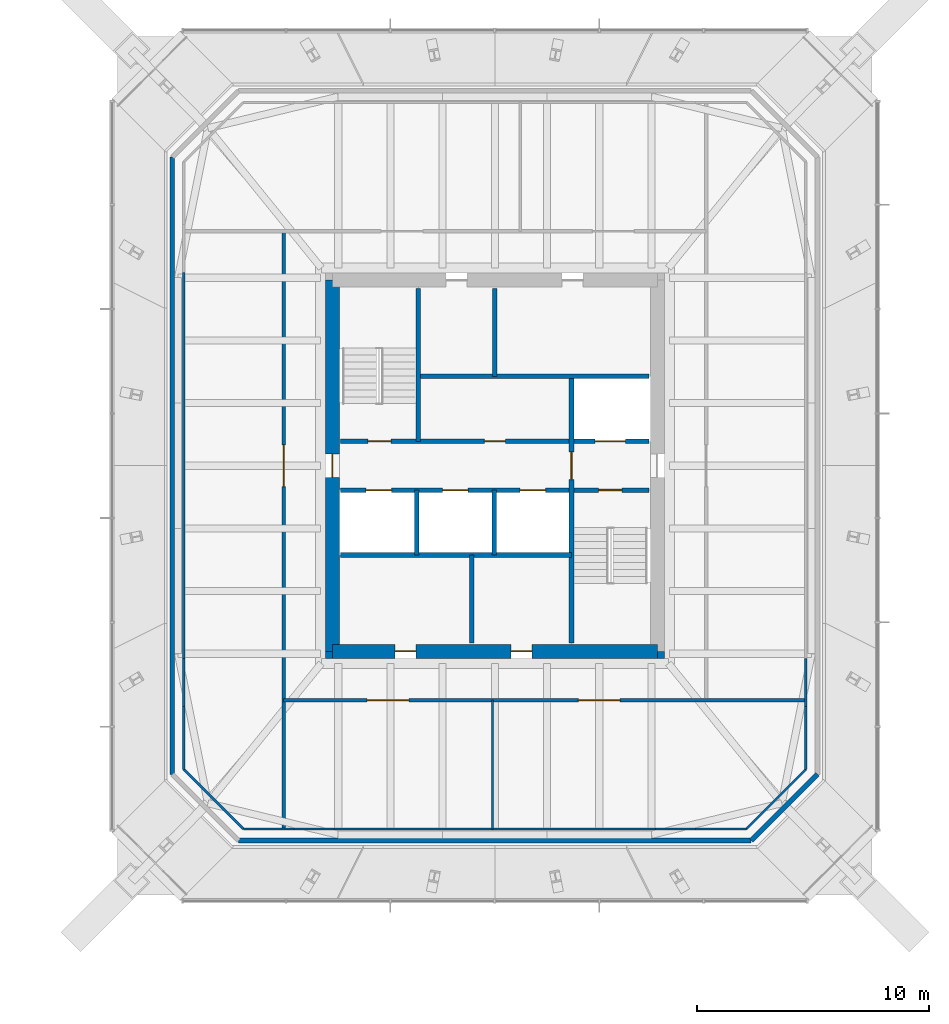
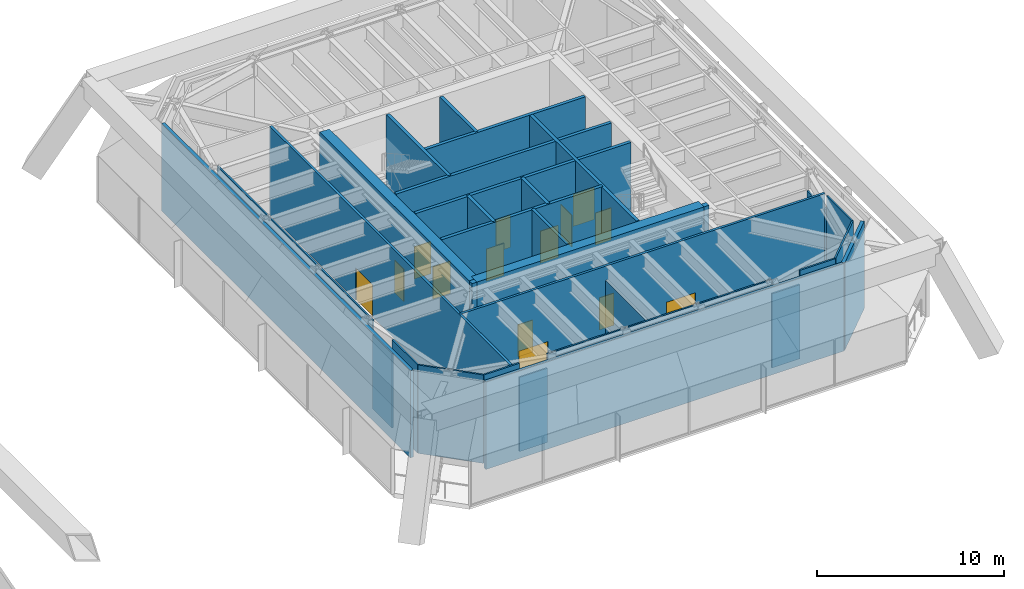
# One storey, part 11 of 16: 32 walls, 14 doors, 14 openings.
"""IFC4 building model written with IfcOpenShell, lengths in metres."""

import ifcopenshell
import ifcopenshell.guid

model = None  # the IFC model being written
_history = None  # IfcOwnerHistory: only IFC2X3 demands one
_inside = {}  # id of a spatial element -> (the spatial element, [elements in it])
_under = {}  # id of a project, library or spatial element -> (it, [spatial elements below it])
_declared = {}  # id of a project -> (the project, [libraries it declares])
_typed = {}  # id of a type object -> (the type object, [elements of that type])
_made_of = {}  # id of a material, layer set ... -> (it, [elements and type objects made of it])


def new_model(schema):
    """Start an empty IFC model of exactly this schema.

    Asked for "IFC4X3", IfcOpenShell would pick the latest addendum, in which some entities
    have other attributes; the version numbers below select the first issue.
    IFC2X3 requires an IfcOwnerHistory on every rooted entity: one is made here for all.
    """
    global model, _history
    if schema == "IFC4X3":
        model = ifcopenshell.file(schema_version=(4, 3, 0, 0))
    else:
        model = ifcopenshell.file(schema=schema)
    _inside.clear()
    _under.clear()
    _declared.clear()
    _typed.clear()
    _made_of.clear()
    _history = None
    if model.schema == "IFC2X3":
        org = make("IfcOrganization", Name="unknown")
        user = make(
            "IfcPersonAndOrganization",
            ThePerson=make("IfcPerson", FamilyName="unknown"),
            TheOrganization=org,
        )
        app = make(
            "IfcApplication",
            ApplicationDeveloper=org,
            Version="unknown",
            ApplicationFullName="unknown",
            ApplicationIdentifier="unknown",
        )
        _history = make(
            "IfcOwnerHistory",
            OwningUser=user,
            OwningApplication=app,
            ChangeAction="ADDED",
            CreationDate=0,
        )
    return model


def make(cls, **values):
    """One entity of the class cls with the attributes given. An attribute that is None is left unset."""
    return model.create_entity(
        cls, **{name: value for name, value in values.items() if value is not None}
    )


def rooted(cls, **values):
    """An entity with a GlobalId (a new one), such as an element, a storey or a relation."""
    return make(cls, GlobalId=ifcopenshell.guid.new(), OwnerHistory=_history, **values)


def si_unit(unit_type, name, prefix=None):
    """IfcSIUnit, for example si_unit("LENGTHUNIT", "METRE", prefix="MILLI")."""
    return make("IfcSIUnit", UnitType=unit_type, Prefix=prefix, Name=name)


def assignment(units):
    """IfcUnitAssignment: the units of a project."""
    return None if units is None else make("IfcUnitAssignment", Units=units)


def point(xyz):
    """IfcCartesianPoint."""
    return None if xyz is None else make("IfcCartesianPoint", Coordinates=xyz)


def direction(xyz):
    """IfcDirection."""
    return None if xyz is None else make("IfcDirection", DirectionRatios=xyz)


def frame(location, z_axis=None, x_axis=None):
    """IfcAxis2Placement3D, a coordinate frame: its origin and axes. An axis left out is left unset."""
    return make(
        "IfcAxis2Placement3D",
        Location=point(location),
        Axis=direction(z_axis),
        RefDirection=direction(x_axis),
    )


def frame_2d(location, x_axis=None):
    """IfcAxis2Placement2D, a coordinate frame in the plane: its origin and x axis."""
    return make(
        "IfcAxis2Placement2D", Location=point(location), RefDirection=direction(x_axis)
    )


def origin():
    """The frame at (0, 0, 0) with its axes left unset."""
    return frame((0.0, 0.0, 0.0))


def place(relative_to, where):
    """IfcLocalPlacement: puts the frame where relative to a parent placement (None: the world)."""
    return make(
        "IfcLocalPlacement", PlacementRelTo=relative_to, RelativePlacement=where
    )


def context(
    kind, dimensions, precision=None, world=None, true_north=None, identifier=None
):
    """IfcGeometricRepresentationContext, for example the 3D "Model" context."""
    return make(
        "IfcGeometricRepresentationContext",
        ContextIdentifier=identifier,
        ContextType=kind,
        CoordinateSpaceDimension=dimensions,
        Precision=precision,
        WorldCoordinateSystem=world,
        TrueNorth=true_north,
    )


def subcontext(parent, identifier, kind, view, scale=None):
    """IfcGeometricRepresentationSubContext, for example "Body" below "Model"."""
    return make(
        "IfcGeometricRepresentationSubContext",
        ContextIdentifier=identifier,
        ContextType=kind,
        ParentContext=parent,
        TargetScale=scale,
        TargetView=view,
    )


def project(units=None, contexts=None):
    """IfcProject with its units and contexts."""
    return rooted(
        "IfcProject",
        Name="project",
        RepresentationContexts=contexts,
        UnitsInContext=assignment(units),
    )


def spatial(cls, under=None, at=None, **own):
    """A site, building, storey or space (cls), placed at a placement, below another one or the project."""
    s = rooted(cls, ObjectPlacement=at, **own)
    if under is not None:
        _under.setdefault(under.id(), (under, []))[1].append(s)
    return s


def profile(cls, at=None, kind="AREA", **sizes):
    """A parametric profile (cls). Its sizes go by their IFC names, for example OverallWidth=200.0."""
    return make(cls, ProfileType=kind, Position=at, **sizes)


def rectangle(**sizes):
    """IfcRectangleProfileDef."""
    return profile("IfcRectangleProfileDef", **sizes)


def extrude(swept, where, along, depth):
    """IfcExtrudedAreaSolid: the profile swept, set in the frame where, extruded along a direction by depth."""
    return make(
        "IfcExtrudedAreaSolid",
        SweptArea=swept,
        Position=where,
        ExtrudedDirection=direction(along),
        Depth=depth,
    )


def shape(context_of_items, identifier, shape_type, items):
    """IfcShapeRepresentation: the items that make up one representation, for example the "Body"."""
    return make(
        "IfcShapeRepresentation",
        ContextOfItems=context_of_items,
        RepresentationIdentifier=identifier,
        RepresentationType=shape_type,
        Items=items,
    )


def material(Name=None, Category=None):
    """IfcMaterial."""
    return make("IfcMaterial", Name=Name, Category=Category)


def layer(
    of_material, thickness, ventilated=None, Name=None, Category=None, Priority=None
):
    """IfcMaterialLayer: one layer of a wall or slab, of a material (None: an air gap)."""
    return make(
        "IfcMaterialLayer",
        Material=of_material,
        LayerThickness=thickness,
        IsVentilated=ventilated,
        Name=Name,
        Category=Category,
        Priority=Priority,
    )


def layer_set(layers, Name=None):
    """IfcMaterialLayerSet."""
    return make("IfcMaterialLayerSet", MaterialLayers=layers, LayerSetName=Name)


def made_of(thing, what):
    """Note that an element or type object is made of a material, layer set ...; save() writes the relation."""
    if what is not None:
        _made_of.setdefault(what.id(), (what, []))[1].append(thing)
    return thing


def type_object(cls, material=None, **own):
    """A type object (cls), such as IfcWallType, which elements share."""
    return made_of(rooted(cls, **own), material)


def element(
    cls,
    number,
    at=None,
    inside=None,
    cuts=None,
    type_object=None,
    material=None,
    context=None,
    identifier="Body",
    shape_type=None,
    held_by="IfcProductDefinitionShape",
    body=None,
    shapes=None,
    **own,
):
    """One element of the class cls, such as IfcWall. Its Tag is "e" and its number.

    at: its placement. inside: the storey or other place that contains it. cuts: it is an
    opening in that element (IfcRelVoidsElement). A single representation is given by context,
    identifier, shape_type and body (its items); several are given by shapes. held_by: the class
    of the entity that holds the representations. save() writes the other relations.
    """
    e = rooted(cls, Tag="e%d" % number, ObjectPlacement=at, **own)
    if body is not None:
        shapes = [shape(context, identifier, shape_type, body)]
    if shapes is not None:
        e.Representation = make(held_by, Representations=shapes)
    if inside is not None:
        _inside.setdefault(inside.id(), (inside, []))[1].append(e)
    if cuts is not None:
        rooted(
            "IfcRelVoidsElement", RelatingBuildingElement=cuts, RelatedOpeningElement=e
        )
    if type_object is not None:
        _typed.setdefault(type_object.id(), (type_object, []))[1].append(e)
    return made_of(e, material)


def fill(opening, filler):
    """IfcRelFillsElement: the door or window that sits in an opening."""
    return rooted(
        "IfcRelFillsElement",
        RelatingOpeningElement=opening,
        RelatedBuildingElement=filler,
    )


def aggregate(whole, parts):
    """IfcRelAggregates: a whole, such as a stair, and the parts it consists of."""
    return rooted("IfcRelAggregates", RelatingObject=whole, RelatedObjects=parts)


def save(model, path):
    """Write the relations noted so far, then the file.

    IfcRelAggregates (storeys below a building ...), IfcRelContainedInSpatialStructure (elements
    in a storey), IfcRelDefinesByType, IfcRelAssociatesMaterial and IfcRelDeclares: one each for
    every whole, place, type object, material and project.
    """
    for whole, parts in _under.values():
        aggregate(whole, parts)
    for where, things in _inside.values():
        rooted(
            "IfcRelContainedInSpatialStructure",
            RelatedElements=things,
            RelatingStructure=where,
        )
    for kind, things in _typed.values():
        rooted("IfcRelDefinesByType", RelatedObjects=things, RelatingType=kind)
    for what, things in _made_of.values():
        rooted("IfcRelAssociatesMaterial", RelatedObjects=things, RelatingMaterial=what)
    for by, libraries in _declared.values():
        rooted("IfcRelDeclares", RelatingContext=by, RelatedDefinitions=libraries)
    model.write(path)


model = new_model("IFC4")

# Units and contexts
model_context = context("Model", 3, precision=1e-05, world=origin(), true_north=direction((0.0, 1.0)))
body_context = subcontext(model_context, "Body", "Model", "MODEL_VIEW")
ifc_project = project(units=[si_unit("LENGTHUNIT", "METRE"), si_unit("AREAUNIT", "SQUARE_METRE"), si_unit("VOLUMEUNIT", "CUBIC_METRE"), si_unit("PLANEANGLEUNIT", "RADIAN"), si_unit("MASSUNIT", "GRAM", prefix="KILO")], contexts=[model_context])

# Site, building, storey
site_placement = place(None, origin())
site = spatial("IfcSite", under=ifc_project, at=site_placement, CompositionType="ELEMENT")
building_placement = place(site_placement, origin())
building = spatial("IfcBuilding", under=site, at=building_placement, Name="Iwan Alto Co-Living Towers", CompositionType="ELEMENT")
storey_placement = place(building_placement, frame((0.0, 0.0, 74.5)))
storey = spatial("IfcBuildingStorey", under=building, at=storey_placement, Name="L20", CompositionType="ELEMENT", Elevation=74.5)

# Wall, openings, doors
ifc_material_1 = material(Name="Gypsum board")
ifc_layer_1 = layer(ifc_material_1, 0.02490234375, Name="Board", Category="Finish")
ifc_material_2 = material(Name="Steel ASTM A1003 ST33H cold-formed studs", Category="steel")
ifc_layer_2 = layer(ifc_material_2, 0.10009765625, Name="Studs", Category="Framing")
ifc_layer_3 = layer(ifc_material_1, 0.02490234375, Name="Board", Category="Finish")
ifc_layer_set_1 = layer_set([ifc_layer_1, ifc_layer_2, ifc_layer_3], Name="CORRIDOR WALL 150")
wall_type_1 = type_object("IfcWallType", Name="CORRIDOR WALL 150", PredefinedType="PARTITIONING", material=ifc_layer_set_1)
wall_1_placement = place(storey_placement, frame((53.89990234375, -10.10009765625, 0.0), z_axis=(0.0, 0.0, 1.0), x_axis=(1.0, 0.0, 0.0)))
wall_1 = element("IfcWall", 1, at=wall_1_placement, inside=storey, type_object=wall_type_1, Name="Partition L20", PredefinedType="PARTITIONING", context=body_context, shape_type="SweptSolid", body=[
    extrude(rectangle(XDim=22.5, YDim=0.14990234375, at=frame_2d((11.25, 0.0))), origin(), (0.0, 0.0, 1.0), 5.77001953125),
])
opening_1_placement = place(wall_1_placement, frame((3.60009765625, 0.0, 0.0)))
opening_1 = element("IfcOpeningElement", 2, at=opening_1_placement, cuts=wall_1, Name="Opening D9", PredefinedType="OPENING", context=body_context, shape_type="SweptSolid", body=[
    extrude(rectangle(XDim=1.800048828125, YDim=2.10009765625, at=frame_2d((0.89990234375, 1.050048828125))), frame((0.0, 0.0849609375, 0.0), z_axis=(0.0, -1.0, 0.0), x_axis=(1.0, 0.0, 0.0)), (0.0, 0.0, 1.0), 0.169921875),
])
opening_2_placement = place(wall_1_placement, frame((12.699951171875, 0.0, 0.0)))
opening_2 = element("IfcOpeningElement", 3, at=opening_2_placement, cuts=wall_1, Name="Opening D9", PredefinedType="OPENING", context=body_context, shape_type="SweptSolid", body=[
    extrude(rectangle(XDim=1.800048828125, YDim=2.10009765625, at=frame_2d((0.89990234375, 1.050048828125))), frame((0.0, 0.0849609375, 0.0), z_axis=(0.0, -1.0, 0.0), x_axis=(1.0, 0.0, 0.0)), (0.0, 0.0, 1.0), 0.169921875),
])
ifc_material_3 = material(Name="Steel frame with timber leaf", Category="steel")
door_type_1 = type_object("IfcDoorType", Name="LOUNGE DOOR FD30S 1800X2100", OperationType="DOUBLE_DOOR_SINGLE_SWING", PredefinedType="DOOR", material=ifc_material_3)
door_1_placement = place(opening_1_placement, frame((1.800048828125, 0.0, 0.0), z_axis=(0.0, 0.0, 1.0), x_axis=(-1.0, 0.0, 0.0)))
door_1 = element("IfcDoor", 4, at=door_1_placement, inside=storey, type_object=door_type_1, Name="Water tank room door L20", OperationType="DOUBLE_DOOR_SINGLE_SWING", OverallHeight=2.10009765625, OverallWidth=1.800048828125, PredefinedType="DOOR", context=body_context, shape_type="SweptSolid", body=[
    extrude(rectangle(XDim=1.800048828125, YDim=2.10009765625, at=frame_2d((0.89990234375, 1.050048828125))), frame((0.0, 0.02490234375, 0.0), z_axis=(0.0, -1.0, 0.0), x_axis=(1.0, 0.0, 0.0)), (0.0, 0.0, 1.0), 0.050048828125),
])
fill(opening_1, door_1)
door_2_placement = place(opening_2_placement, frame((1.800048828125, 0.0, 0.0), z_axis=(0.0, 0.0, 1.0), x_axis=(-1.0, 0.0, 0.0)))
door_2 = element("IfcDoor", 5, at=door_2_placement, inside=storey, type_object=door_type_1, Name="Plant room (pumps) door L20", OperationType="DOUBLE_DOOR_SINGLE_SWING", OverallHeight=2.10009765625, OverallWidth=1.800048828125, PredefinedType="DOOR", context=body_context, shape_type="SweptSolid", body=[
    extrude(rectangle(XDim=1.800048828125, YDim=2.10009765625, at=frame_2d((0.89990234375, 1.050048828125))), frame((0.0, 0.02490234375, 0.0), z_axis=(0.0, -1.0, 0.0), x_axis=(1.0, 0.0, 0.0)), (0.0, 0.0, 1.0), 0.050048828125),
])
fill(opening_2, door_2)

# Wall, opening, door
wall_2_placement = place(storey_placement, frame((53.89990234375, -15.64990234375, 0.0), z_axis=(0.0, 0.0, 1.0), x_axis=(0.0, 1.0, 0.0)))
wall_2 = element("IfcWall", 6, at=wall_2_placement, inside=storey, type_object=wall_type_1, Name="Partition L20", PredefinedType="PARTITIONING", context=body_context, shape_type="SweptSolid", body=[
    extrude(rectangle(XDim=25.75, YDim=0.14990234375, at=frame_2d((12.875, 0.0))), origin(), (0.0, 0.0, 1.0), 5.77001953125),
])
opening_3_placement = place(wall_2_placement, frame((14.75, 0.0, 0.0)))
opening_3 = element("IfcOpeningElement", 7, at=opening_3_placement, cuts=wall_2, Name="Opening D9", PredefinedType="OPENING", context=body_context, shape_type="SweptSolid", body=[
    extrude(rectangle(XDim=1.800048828125, YDim=2.10009765625, at=frame_2d((0.89990234375, 1.050048828125))), frame((0.0, 0.0849609375, 0.0), z_axis=(0.0, -1.0, 0.0), x_axis=(1.0, 0.0, 0.0)), (0.0, 0.0, 1.0), 0.169921875),
])
door_3_placement = place(opening_3_placement, frame((1.800048828125, 0.0, 0.0), z_axis=(0.0, 0.0, 1.0), x_axis=(-1.0, 0.0, 0.0)))
door_3 = element("IfcDoor", 8, at=door_3_placement, inside=storey, type_object=door_type_1, Name="Refuge area door L20", OperationType="DOUBLE_DOOR_SINGLE_SWING", OverallHeight=2.10009765625, OverallWidth=1.800048828125, PredefinedType="DOOR", context=body_context, shape_type="SweptSolid", body=[
    extrude(rectangle(XDim=1.800048828125, YDim=2.10009765625, at=frame_2d((0.89990234375, 1.050048828125))), frame((0.0, 0.02490234375, 0.0), z_axis=(0.0, -1.0, 0.0), x_axis=(1.0, 0.0, 0.0)), (0.0, 0.0, 1.0), 0.050048828125),
])
fill(opening_3, door_3)

# Walls
ifc_layer_4 = layer(ifc_material_1, 0.012451171875, Name="Board", Category="Finish")
ifc_layer_5 = layer(ifc_material_2, 0.074951171875, Name="Studs", Category="Framing")
ifc_layer_6 = layer(ifc_material_1, 0.012451171875, Name="Board", Category="Finish")
ifc_layer_set_2 = layer_set([ifc_layer_4, ifc_layer_5, ifc_layer_6], Name="PARTITION 100")
wall_type_2 = type_object("IfcWallType", Name="PARTITION 100", PredefinedType="PARTITIONING", material=ifc_layer_set_2)
wall_3_placement = place(storey_placement, frame((52.162109375, -15.64990234375, 0.0), z_axis=(0.0, 0.0, 1.0), x_axis=(1.0, 0.0, 0.0)))
element("IfcWall", 9, at=wall_3_placement, inside=storey, type_object=wall_type_2, Name="Partition L20", PredefinedType="PARTITIONING", context=body_context, shape_type="SweptSolid", body=[
    extrude(rectangle(XDim=2.19384765625, YDim=0.10009765625, at=frame_2d((1.096923828125, 0.0))), origin(), (0.0, 0.0, 1.0), 5.77001953125),
])
wall_4_placement = place(storey_placement, frame((73.837890625, -15.64990234375, 0.0), z_axis=(0.0, 0.0, 1.0), x_axis=(0.707106781187, 0.707106781187, 0.0)))
element("IfcWall", 10, at=wall_4_placement, inside=storey, type_object=wall_type_2, Name="Partition L20", PredefinedType="PARTITIONING", context=body_context, shape_type="SweptSolid", body=[
    extrude(rectangle(XDim=3.623291015625, YDim=0.10009765625, at=frame_2d((1.8115234375, 0.0))), origin(), (0.0, 0.0, 1.0), 5.77001953125),
])
wall_5_placement = place(storey_placement, frame((76.39990234375, -13.087890625, 0.0), z_axis=(0.0, 0.0, 1.0), x_axis=(0.0, 1.0, 0.0)))
element("IfcWall", 11, at=wall_5_placement, inside=storey, type_object=wall_type_2, Name="Partition L20", PredefinedType="PARTITIONING", context=body_context, shape_type="SweptSolid", body=[
    extrude(rectangle(XDim=2.703857421875, YDim=0.10009765625, at=frame_2d((1.35205078125, 0.0))), origin(), (0.0, 0.0, 1.0), 5.77001953125),
])
wall_6_placement = place(storey_placement, frame((62.89990234375, -15.64990234375, 0.0), z_axis=(0.0, 0.0, 1.0), x_axis=(0.0, 1.0, 0.0)))
element("IfcWall", 12, at=wall_6_placement, inside=storey, type_object=wall_type_2, Name="Partition L20", PredefinedType="PARTITIONING", context=body_context, shape_type="SweptSolid", body=[
    extrude(rectangle(XDim=5.5498046875, YDim=0.10009765625, at=frame_2d((2.77490234375, 0.0))), origin(), (0.0, 0.0, 1.0), 4.843017578125),
])
wall_7_placement = place(storey_placement, frame((49.60009765625, -13.087890625, 0.0), z_axis=(0.0, 0.0, 1.0), x_axis=(0.0, 1.0, 0.0)))
element("IfcWall", 13, at=wall_7_placement, inside=storey, type_object=wall_type_2, Name="Partition L20", PredefinedType="PARTITIONING", context=body_context, shape_type="SweptSolid", body=[
    extrude(rectangle(XDim=2.703857421875, YDim=0.10009765625, at=frame_2d((1.35205078125, 0.0))), origin(), (0.0, 0.0, 1.0), 5.77001953125),
])
wall_8_placement = place(storey_placement, frame((52.162109375, -15.64990234375, 0.0), z_axis=(0.0, 0.0, 1.0), x_axis=(-0.707106781187, 0.707106781187, 0.0)))
element("IfcWall", 14, at=wall_8_placement, inside=storey, type_object=wall_type_2, Name="Partition L20", PredefinedType="PARTITIONING", context=body_context, shape_type="SweptSolid", body=[
    extrude(rectangle(XDim=3.623291015625, YDim=0.10009765625, at=frame_2d((1.8115234375, 0.0))), origin(), (0.0, 0.0, 1.0), 5.77001953125),
])
wall_9_placement = place(storey_placement, frame((54.35595703125, -15.64990234375, 0.0), z_axis=(0.0, 0.0, 1.0), x_axis=(1.0, 0.0, 0.0)))
element("IfcWall", 15, at=wall_9_placement, inside=storey, type_object=wall_type_2, Name="Partition L20", PredefinedType="PARTITIONING", context=body_context, shape_type="SweptSolid", body=[
    extrude(rectangle(XDim=1.720947265625, YDim=0.10009765625, at=frame_2d((0.8603515625, 0.0))), origin(), (0.0, 0.0, 1.0), 4.843017578125),
])
wall_10_placement = place(storey_placement, frame((56.076904296875, -15.64990234375, 0.0), z_axis=(0.0, 0.0, 1.0), x_axis=(1.0, 0.0, 0.0)))
element("IfcWall", 16, at=wall_10_placement, inside=storey, type_object=wall_type_2, Name="Partition L20", PredefinedType="PARTITIONING", context=body_context, shape_type="SweptSolid", body=[
    extrude(rectangle(XDim=13.84619140625, YDim=0.10009765625, at=frame_2d((6.923095703125, 0.0))), origin(), (0.0, 0.0, 1.0), 5.77001953125),
])
wall_11_placement = place(storey_placement, frame((69.923095703125, -15.64990234375, 0.0), z_axis=(0.0, 0.0, 1.0), x_axis=(1.0, 0.0, 0.0)))
element("IfcWall", 17, at=wall_11_placement, inside=storey, type_object=wall_type_2, Name="Partition L20", PredefinedType="PARTITIONING", context=body_context, shape_type="SweptSolid", body=[
    extrude(rectangle(XDim=1.720947265625, YDim=0.10009765625, at=frame_2d((0.8603515625, 0.0))), origin(), (0.0, 0.0, 1.0), 4.843017578125),
])
wall_12_placement = place(storey_placement, frame((71.64404296875, -15.64990234375, 0.0), z_axis=(0.0, 0.0, 1.0), x_axis=(1.0, 0.0, 0.0)))
element("IfcWall", 18, at=wall_12_placement, inside=storey, type_object=wall_type_2, Name="Partition L20", PredefinedType="PARTITIONING", context=body_context, shape_type="SweptSolid", body=[
    extrude(rectangle(XDim=2.19384765625, YDim=0.10009765625, at=frame_2d((1.096923828125, 0.0))), origin(), (0.0, 0.0, 1.0), 5.77001953125),
])
for number, where, z_axis, x_axis, name in (
    (19, (76.39990234375, -10.384033203125, 0.0), (0.0, 0.0, 1.0), (0.0, 1.0, 0.0), "Partition L20"),
    (20, (49.60009765625, -10.384033203125, 0.0), (0.0, 0.0, 1.0), (0.0, 1.0, 0.0), "Partition L20"),
):
    element("IfcWall", number, at=place(storey_placement, frame(where, z_axis=z_axis, x_axis=x_axis)), inside=storey, type_object=wall_type_2, Name=name, PredefinedType="PARTITIONING", context=body_context, shape_type="SweptSolid", body=[
        extrude(rectangle(XDim=2.068115234375, YDim=0.10009765625, at=frame_2d((1.0341796875, 0.0))), origin(), (0.0, 0.0, 1.0), 4.843017578125),
    ])
wall_13_placement = place(storey_placement, frame((49.60009765625, -8.31591796875, 0.0), z_axis=(0.0, 0.0, 1.0), x_axis=(0.0, 1.0, 0.0)))
element("IfcWall", 21, at=wall_13_placement, inside=storey, type_object=wall_type_2, Name="Partition L20", PredefinedType="PARTITIONING", context=body_context, shape_type="SweptSolid", body=[
    extrude(rectangle(XDim=16.6318359375, YDim=0.10009765625, at=frame_2d((8.31591796875, 0.0))), origin(), (0.0, 0.0, 1.0), 5.77001953125),
])
ifc_material_4 = material(Name="Aluminium 6063-T6 bronze anodised", Category="aluminium")
ifc_layer_7 = layer(ifc_material_4, 0.050048828125, Name="Louvred screen", Category="Finish")
ifc_layer_8 = layer(ifc_material_2, 0.14990234375, Name="Studs", Category="Framing")
ifc_layer_set_3 = layer_set([ifc_layer_7, ifc_layer_8], Name="PLANT PLENUM WALL 200")
wall_type_3 = type_object("IfcWallType", Name="PLANT PLENUM WALL 200", PredefinedType="PARTITIONING", material=ifc_layer_set_3)
wall_14_placement = place(storey_placement, frame((51.955078125, -16.14990234375, 0.0), z_axis=(0.0, 0.0, 1.0), x_axis=(1.0, 0.0, 0.0)))
element("IfcWall", 22, at=wall_14_placement, inside=storey, type_object=wall_type_3, Name="T2 plant plenum wall L20 1", PredefinedType="PARTITIONING", context=body_context, shape_type="SweptSolid", body=[
    extrude(rectangle(XDim=22.08984375, YDim=0.199951171875, at=frame_2d((11.044921875, 0.0))), origin(), (0.0, 0.0, 1.0), 5.699951171875),
])
wall_15_placement = place(storey_placement, frame((74.044921875, -16.14990234375, 0.0), z_axis=(0.0, 0.0, 1.0), x_axis=(0.707106781187, 0.707106781187, 0.0)))
element("IfcWall", 23, at=wall_15_placement, inside=storey, type_object=wall_type_3, Name="T2 plant plenum wall L20 2", PredefinedType="PARTITIONING", context=body_context, shape_type="SweptSolid", body=[
    extrude(rectangle(XDim=4.03759765625, YDim=0.199951171875, at=frame_2d((2.018798828125, 0.0))), origin(), (0.0, 0.0, 1.0), 5.699951171875),
])
wall_16_placement = place(storey_placement, frame((49.10009765625, 13.294921875, 0.0), z_axis=(0.0, 0.0, 1.0), x_axis=(0.0, -1.0, 0.0)))
element("IfcWall", 24, at=wall_16_placement, inside=storey, type_object=wall_type_3, Name="T2 plant plenum wall L20 7", PredefinedType="PARTITIONING", context=body_context, shape_type="SweptSolid", body=[
    extrude(rectangle(XDim=26.58984375, YDim=0.199951171875, at=frame_2d((13.294921875, 0.0))), origin(), (0.0, 0.0, 1.0), 5.699951171875),
])
ifc_material_5 = material(Name="Concrete f'c 70 MPa", Category="concrete")
ifc_layer_9 = layer(ifc_material_5, 0.199951171875)
ifc_layer_set_4 = layer_set([ifc_layer_9], Name="SHAFT WALL 200")
wall_type_4 = type_object("IfcWallType", Name="SHAFT WALL 200", PredefinedType="SOLIDWALL", material=ifc_layer_set_4)
wall_17_placement = place(storey_placement, frame((56.360107421875, -3.85009765625, 0.0), z_axis=(0.0, 0.0, 1.0), x_axis=(1.0, 0.0, 0.0)))
element("IfcWall", 25, at=wall_17_placement, inside=storey, type_object=wall_type_4, Name="Shaft wall L20", PredefinedType="SOLIDWALL", context=body_context, shape_type="SweptSolid", body=[
    extrude(rectangle(XDim=9.93994140625, YDim=0.199951171875, at=frame_2d((4.969970703125, 0.0))), origin(), (0.0, 0.0, 1.0), 6.0),
])

# Wall, openings, doors
wall_18_placement = place(storey_placement, frame((56.360107421875, -1.050048828125, 0.0), z_axis=(0.0, 0.0, 1.0), x_axis=(1.0, 0.0, 0.0)))
wall_18 = element("IfcWall", 26, at=wall_18_placement, inside=storey, type_object=wall_type_4, Name="Shaft wall L20", PredefinedType="SOLIDWALL", context=body_context, shape_type="SweptSolid", body=[
    extrude(rectangle(XDim=13.27978515625, YDim=0.199951171875, at=frame_2d((6.639892578125, 0.0))), origin(), (0.0, 0.0, 1.0), 6.0),
])
opening_4_placement = place(wall_18_placement, frame((11.110107421875, 0.0, 0.0)))
opening_4 = element("IfcOpeningElement", 27, at=opening_4_placement, cuts=wall_18, Name="Opening D5", PredefinedType="OPENING", context=body_context, shape_type="SweptSolid", body=[
    extrude(rectangle(XDim=1.0, YDim=2.10009765625, at=frame_2d((0.5, 1.050048828125))), frame((0.0, 0.10986328125, 0.0), z_axis=(0.0, -1.0, 0.0), x_axis=(1.0, 0.0, 0.0)), (0.0, 0.0, 1.0), 0.219970703125),
])
opening_5_placement = place(wall_18_placement, frame((1.0869140625, 0.0, 0.0)))
opening_5 = element("IfcOpeningElement", 28, at=opening_5_placement, cuts=wall_18, Name="Opening LD", PredefinedType="OPENING", context=body_context, shape_type="SweptSolid", body=[
    extrude(rectangle(XDim=1.10009765625, YDim=2.10009765625, at=frame_2d((0.550048828125, 1.050048828125))), frame((0.0, 0.10986328125, 0.0), z_axis=(0.0, -1.0, 0.0), x_axis=(1.0, 0.0, 0.0)), (0.0, 0.0, 1.0), 0.219970703125),
])
opening_6_placement = place(wall_18_placement, frame((4.389892578125, 0.0, 0.0)))
opening_6 = element("IfcOpeningElement", 29, at=opening_6_placement, cuts=wall_18, Name="Opening LD", PredefinedType="OPENING", context=body_context, shape_type="SweptSolid", body=[
    extrude(rectangle(XDim=1.10009765625, YDim=2.10009765625, at=frame_2d((0.550048828125, 1.050048828125))), frame((0.0, 0.10986328125, 0.0), z_axis=(0.0, -1.0, 0.0), x_axis=(1.0, 0.0, 0.0)), (0.0, 0.0, 1.0), 0.219970703125),
])
opening_7_placement = place(wall_18_placement, frame((7.72412109375, 0.0, 0.0)))
opening_7 = element("IfcOpeningElement", 30, at=opening_7_placement, cuts=wall_18, Name="Opening LD", PredefinedType="OPENING", context=body_context, shape_type="SweptSolid", body=[
    extrude(rectangle(XDim=1.10009765625, YDim=2.10009765625, at=frame_2d((0.550048828125, 1.050048828125))), frame((0.0, 0.10986328125, 0.0), z_axis=(0.0, -1.0, 0.0), x_axis=(1.0, 0.0, 0.0)), (0.0, 0.0, 1.0), 0.219970703125),
])
ifc_material_6 = material(Name="Steel frame with timber leaf", Category="steel")
door_type_2 = type_object("IfcDoorType", Name="LIFT LANDING DOOR 1100X2100", OperationType="DOUBLE_DOOR_SLIDING", PredefinedType="DOOR", material=ifc_material_6)
door_4_placement = place(opening_5_placement, origin())
door_4 = element("IfcDoor", 31, at=door_4_placement, inside=storey, type_object=door_type_2, Name="Lift P5-1 landing door L20", OperationType="DOUBLE_DOOR_SLIDING", OverallHeight=2.10009765625, OverallWidth=1.10009765625, PredefinedType="DOOR", context=body_context, shape_type="SweptSolid", body=[
    extrude(rectangle(XDim=1.10009765625, YDim=2.10009765625, at=frame_2d((0.550048828125, 1.050048828125))), frame((0.0, 0.02490234375, 0.0), z_axis=(0.0, -1.0, 0.0), x_axis=(1.0, 0.0, 0.0)), (0.0, 0.0, 1.0), 0.050048828125),
])
fill(opening_5, door_4)
door_5_placement = place(opening_6_placement, origin())
door_5 = element("IfcDoor", 32, at=door_5_placement, inside=storey, type_object=door_type_2, Name="Lift P5-2 landing door L20", OperationType="DOUBLE_DOOR_SLIDING", OverallHeight=2.10009765625, OverallWidth=1.10009765625, PredefinedType="DOOR", context=body_context, shape_type="SweptSolid", body=[
    extrude(rectangle(XDim=1.10009765625, YDim=2.10009765625, at=frame_2d((0.550048828125, 1.050048828125))), frame((0.0, 0.02490234375, 0.0), z_axis=(0.0, -1.0, 0.0), x_axis=(1.0, 0.0, 0.0)), (0.0, 0.0, 1.0), 0.050048828125),
])
fill(opening_6, door_5)
door_6_placement = place(opening_7_placement, origin())
door_6 = element("IfcDoor", 33, at=door_6_placement, inside=storey, type_object=door_type_2, Name="Lift P6-3 landing door L20", OperationType="DOUBLE_DOOR_SLIDING", OverallHeight=2.10009765625, OverallWidth=1.10009765625, PredefinedType="DOOR", context=body_context, shape_type="SweptSolid", body=[
    extrude(rectangle(XDim=1.10009765625, YDim=2.10009765625, at=frame_2d((0.550048828125, 1.050048828125))), frame((0.0, 0.02490234375, 0.0), z_axis=(0.0, -1.0, 0.0), x_axis=(1.0, 0.0, 0.0)), (0.0, 0.0, 1.0), 0.050048828125),
])
fill(opening_7, door_6)
ifc_material_7 = material(Name="Steel frame with timber leaf", Category="steel")
door_type_3 = type_object("IfcDoorType", Name="STAIR DOOR FD120S 1000X2100", OperationType="SINGLE_SWING_LEFT", PredefinedType="DOOR", material=ifc_material_7)
door_7_placement = place(opening_4_placement, frame((1.0, 0.0, 0.0), z_axis=(0.0, 0.0, 1.0), x_axis=(-1.0, 0.0, 0.0)))
door_7 = element("IfcDoor", 34, at=door_7_placement, inside=storey, type_object=door_type_3, Name="Stair S2 door L20", OperationType="SINGLE_SWING_RIGHT", OverallHeight=2.10009765625, OverallWidth=1.0, PredefinedType="DOOR", context=body_context, shape_type="SweptSolid", body=[
    extrude(rectangle(XDim=1.0, YDim=2.10009765625, at=frame_2d((0.5, 1.050048828125))), frame((0.0, 0.02490234375, 0.0), z_axis=(0.0, -1.0, 0.0), x_axis=(1.0, 0.0, 0.0)), (0.0, 0.0, 1.0), 0.050048828125),
])
fill(opening_4, door_7)

wall_19_placement = place(storey_placement, frame((56.360107421875, 1.050048828125, 0.0), z_axis=(0.0, 0.0, 1.0), x_axis=(1.0, 0.0, 0.0)))
wall_19 = element("IfcWall", 35, at=wall_19_placement, inside=storey, type_object=wall_type_4, Name="Shaft wall L20", PredefinedType="SOLIDWALL", context=body_context, shape_type="SweptSolid", body=[
    extrude(rectangle(XDim=13.27978515625, YDim=0.199951171875, at=frame_2d((6.639892578125, 0.0))), origin(), (0.0, 0.0, 1.0), 6.0),
])
opening_8_placement = place(wall_19_placement, frame((1.169921875, 0.0, 0.0)))
opening_8 = element("IfcOpeningElement", 36, at=opening_8_placement, cuts=wall_19, Name="Opening D5", PredefinedType="OPENING", context=body_context, shape_type="SweptSolid", body=[
    extrude(rectangle(XDim=1.0, YDim=2.10009765625, at=frame_2d((0.5, 1.050048828125))), frame((0.0, 0.10986328125, 0.0), z_axis=(0.0, -1.0, 0.0), x_axis=(1.0, 0.0, 0.0)), (0.0, 0.0, 1.0), 0.219970703125),
])
opening_9_placement = place(wall_19_placement, frame((6.18994140625, 0.0, 0.0)))
opening_9 = element("IfcOpeningElement", 37, at=opening_9_placement, cuts=wall_19, Name="Opening D8", PredefinedType="OPENING", context=body_context, shape_type="SweptSolid", body=[
    extrude(rectangle(XDim=0.89990234375, YDim=2.10009765625, at=frame_2d((0.449951171875, 1.050048828125))), frame((0.0, 0.10986328125, 0.0), z_axis=(0.0, -1.0, 0.0), x_axis=(1.0, 0.0, 0.0)), (0.0, 0.0, 1.0), 0.219970703125),
])
opening_10_placement = place(wall_19_placement, frame((10.9599609375, 0.0, 0.0)))
opening_10 = element("IfcOpeningElement", 38, at=opening_10_placement, cuts=wall_19, Name="Opening LD2", PredefinedType="OPENING", context=body_context, shape_type="SweptSolid", body=[
    extrude(rectangle(XDim=1.300048828125, YDim=2.10009765625, at=frame_2d((0.64990234375, 1.050048828125))), frame((0.0, 0.10986328125, 0.0), z_axis=(0.0, -1.0, 0.0), x_axis=(1.0, 0.0, 0.0)), (0.0, 0.0, 1.0), 0.219970703125),
])
ifc_material_8 = material(Name="Steel frame with timber leaf", Category="steel")
door_type_4 = type_object("IfcDoorType", Name="LIFT LANDING DOOR 1300X2100", OperationType="SLIDING_TO_LEFT", PredefinedType="DOOR", material=ifc_material_8)
door_8_placement = place(opening_10_placement, origin())
door_8 = element("IfcDoor", 39, at=door_8_placement, inside=storey, type_object=door_type_4, Name="Lift FL2 landing door L20", OperationType="SLIDING_TO_LEFT", OverallHeight=2.10009765625, OverallWidth=1.300048828125, PredefinedType="DOOR", context=body_context, shape_type="SweptSolid", body=[
    extrude(rectangle(XDim=1.300048828125, YDim=2.10009765625, at=frame_2d((0.64990234375, 1.050048828125))), frame((0.0, 0.02490234375, 0.0), z_axis=(0.0, -1.0, 0.0), x_axis=(1.0, 0.0, 0.0)), (0.0, 0.0, 1.0), 0.050048828125),
])
fill(opening_10, door_8)
ifc_material_9 = material(Name="Steel frame with timber leaf", Category="steel")
door_type_5 = type_object("IfcDoorType", Name="RISER DOOR FD120 900X2100", OperationType="SINGLE_SWING_LEFT", PredefinedType="DOOR", material=ifc_material_9)
door_9_placement = place(opening_9_placement, origin())
door_9 = element("IfcDoor", 40, at=door_9_placement, inside=storey, type_object=door_type_5, Name="Riser room door L20", OperationType="SINGLE_SWING_LEFT", OverallHeight=2.10009765625, OverallWidth=0.89990234375, PredefinedType="DOOR", context=body_context, shape_type="SweptSolid", body=[
    extrude(rectangle(XDim=0.89990234375, YDim=2.10009765625, at=frame_2d((0.449951171875, 1.050048828125))), frame((0.0, 0.02490234375, 0.0), z_axis=(0.0, -1.0, 0.0), x_axis=(1.0, 0.0, 0.0)), (0.0, 0.0, 1.0), 0.050048828125),
])
fill(opening_9, door_9)
door_10_placement = place(opening_8_placement, origin())
door_10 = element("IfcDoor", 41, at=door_10_placement, inside=storey, type_object=door_type_3, Name="Stair S1 door L20", OperationType="SINGLE_SWING_RIGHT", OverallHeight=2.10009765625, OverallWidth=1.0, PredefinedType="DOOR", context=body_context, shape_type="SweptSolid", body=[
    extrude(rectangle(XDim=1.0, YDim=2.10009765625, at=frame_2d((0.5, 1.050048828125))), frame((0.0, 0.02490234375, 0.0), z_axis=(0.0, -1.0, 0.0), x_axis=(1.0, 0.0, 0.0)), (0.0, 0.0, 1.0), 0.050048828125),
])
fill(opening_8, door_10)

# Wall
wall_20_placement = place(storey_placement, frame((59.699951171875, 3.85009765625, 0.0), z_axis=(0.0, 0.0, 1.0), x_axis=(1.0, 0.0, 0.0)))
element("IfcWall", 42, at=wall_20_placement, inside=storey, type_object=wall_type_4, Name="Shaft wall L20", PredefinedType="SOLIDWALL", context=body_context, shape_type="SweptSolid", body=[
    extrude(rectangle(XDim=9.93994140625, YDim=0.199951171875, at=frame_2d((4.969970703125, 0.0))), origin(), (0.0, 0.0, 1.0), 6.0),
])

# Wall, opening, door
wall_21_placement = place(storey_placement, frame((66.300048828125, -7.639892578125, 0.0), z_axis=(0.0, 0.0, 1.0), x_axis=(0.0, 1.0, 0.0)))
wall_21 = element("IfcWall", 43, at=wall_21_placement, inside=storey, type_object=wall_type_4, Name="Shaft wall L20", PredefinedType="SOLIDWALL", context=body_context, shape_type="SweptSolid", body=[
    extrude(rectangle(XDim=11.489990234375, YDim=0.199951171875, at=frame_2d((5.7451171875, 0.0))), origin(), (0.0, 0.0, 1.0), 6.0),
])
opening_11_placement = place(wall_21_placement, frame((7.0400390625, 0.0, 0.0)))
opening_11 = element("IfcOpeningElement", 44, at=opening_11_placement, cuts=wall_21, Name="Opening D6", PredefinedType="OPENING", context=body_context, shape_type="SweptSolid", body=[
    extrude(rectangle(XDim=1.199951171875, YDim=2.10009765625, at=frame_2d((0.60009765625, 1.050048828125))), frame((0.0, 0.10986328125, 0.0), z_axis=(0.0, -1.0, 0.0), x_axis=(1.0, 0.0, 0.0)), (0.0, 0.0, 1.0), 0.219970703125),
])
ifc_material_10 = material(Name="Steel frame with timber leaf", Category="steel")
door_type_6 = type_object("IfcDoorType", Name="LOBBY DOOR FD120S 1200X2100", OperationType="SINGLE_SWING_LEFT", PredefinedType="DOOR", material=ifc_material_10)
door_11_placement = place(opening_11_placement, frame((1.199951171875, 0.0, 0.0), z_axis=(0.0, 0.0, 1.0), x_axis=(-1.0, 0.0, 0.0)))
door_11 = element("IfcDoor", 45, at=door_11_placement, inside=storey, type_object=door_type_6, Name="Firefighting lobby door L20", OperationType="SINGLE_SWING_RIGHT", OverallHeight=2.10009765625, OverallWidth=1.199951171875, PredefinedType="DOOR", context=body_context, shape_type="SweptSolid", body=[
    extrude(rectangle(XDim=1.199951171875, YDim=2.10009765625, at=frame_2d((0.60009765625, 1.050048828125))), frame((0.0, 0.02490234375, 0.0), z_axis=(0.0, -1.0, 0.0), x_axis=(1.0, 0.0, 0.0)), (0.0, 0.0, 1.0), 0.050048828125),
])
fill(opening_11, door_11)

# Walls
wall_22_placement = place(storey_placement, frame((63.0, 3.85009765625, 0.0), z_axis=(0.0, 0.0, 1.0), x_axis=(0.0, 1.0, 0.0)))
element("IfcWall", 46, at=wall_22_placement, inside=storey, type_object=wall_type_4, Name="Shaft wall L20", PredefinedType="SOLIDWALL", context=body_context, shape_type="SweptSolid", body=[
    extrude(rectangle(XDim=3.789794921875, YDim=0.199951171875, at=frame_2d((1.89501953125, 0.0))), origin(), (0.0, 0.0, 1.0), 6.0),
])
wall_23_placement = place(storey_placement, frame((62.967041015625, -3.85009765625, 0.0), z_axis=(0.0, 0.0, 1.0), x_axis=(0.0, 1.0, 0.0)))
element("IfcWall", 47, at=wall_23_placement, inside=storey, type_object=wall_type_4, Name="Shaft wall L20", PredefinedType="SOLIDWALL", context=body_context, shape_type="SweptSolid", body=[
    extrude(rectangle(XDim=2.800048828125, YDim=0.199951171875, at=frame_2d((1.39990234375, 0.0))), origin(), (0.0, 0.0, 1.0), 6.0),
])
wall_24_placement = place(storey_placement, frame((62.0, -7.639892578125, 0.0), z_axis=(0.0, 0.0, 1.0), x_axis=(0.0, 1.0, 0.0)))
element("IfcWall", 48, at=wall_24_placement, inside=storey, type_object=wall_type_4, Name="Shaft wall L20", PredefinedType="SOLIDWALL", context=body_context, shape_type="SweptSolid", body=[
    extrude(rectangle(XDim=3.789794921875, YDim=0.199951171875, at=frame_2d((1.89501953125, 0.0))), origin(), (0.0, 0.0, 1.0), 6.0),
])
wall_25_placement = place(storey_placement, frame((59.699951171875, 1.050048828125, 0.0), z_axis=(0.0, 0.0, 1.0), x_axis=(0.0, 1.0, 0.0)))
element("IfcWall", 49, at=wall_25_placement, inside=storey, type_object=wall_type_4, Name="Shaft wall L20", PredefinedType="SOLIDWALL", context=body_context, shape_type="SweptSolid", body=[
    extrude(rectangle(XDim=6.58984375, YDim=0.199951171875, at=frame_2d((3.294921875, 0.0))), origin(), (0.0, 0.0, 1.0), 6.0),
])
wall_26_placement = place(storey_placement, frame((59.633056640625, -3.85009765625, 0.0), z_axis=(0.0, 0.0, 1.0), x_axis=(0.0, 1.0, 0.0)))
element("IfcWall", 50, at=wall_26_placement, inside=storey, type_object=wall_type_4, Name="Shaft wall L20", PredefinedType="SOLIDWALL", context=body_context, shape_type="SweptSolid", body=[
    extrude(rectangle(XDim=2.800048828125, YDim=0.199951171875, at=frame_2d((1.39990234375, 0.0))), origin(), (0.0, 0.0, 1.0), 6.0),
])
ifc_material_11 = material(Name="Concrete f'c 70 MPa", Category="concrete")
ifc_layer_10 = layer(ifc_material_11, 0.300048828125)
ifc_layer_set_5 = layer_set([ifc_layer_10], Name="T2 CORE CORNER FILL 300")
wall_type_5 = type_object("IfcWallType", Name="T2 CORE CORNER FILL 300", PredefinedType="SOLIDWALL", material=ifc_layer_set_5)
for number, where, z_axis, x_axis, name in (
    (51, (55.699951171875, -8.14990234375, 0.0), (0.0, 0.0, 1.0), (1.0, 0.0, 0.0), "T2 core corner SW L20"),
    (52, (70.0, -8.14990234375, 0.0), (0.0, 0.0, 1.0), (1.0, 0.0, 0.0), "T2 core corner SE L20"),
):
    element("IfcWall", number, at=place(storey_placement, frame(where, z_axis=z_axis, x_axis=x_axis)), inside=storey, type_object=wall_type_5, Name=name, PredefinedType="SOLIDWALL", context=body_context, shape_type="SweptSolid", body=[
        extrude(rectangle(XDim=0.300048828125, YDim=0.300048828125, at=frame_2d((0.14990234375, 0.0))), origin(), (0.0, 0.0, 1.0), 6.0),
    ])

# Wall, openings, doors
ifc_material_12 = material(Name="Concrete f'c 70 MPa", Category="concrete")
ifc_layer_11 = layer(ifc_material_12, 0.60009765625)
ifc_layer_set_6 = layer_set([ifc_layer_11], Name="T2 CORE WALL 600")
wall_type_6 = type_object("IfcWallType", Name="T2 CORE WALL 600", PredefinedType="SHEAR", material=ifc_layer_set_6)
wall_27_placement = place(storey_placement, frame((56.0, -8.0, 0.0), z_axis=(0.0, 0.0, 1.0), x_axis=(1.0, 0.0, 0.0)))
wall_27 = element("IfcWall", 53, at=wall_27_placement, inside=storey, type_object=wall_type_6, Name="T2 core wall S L20", PredefinedType="SHEAR", context=body_context, shape_type="SweptSolid", body=[
    extrude(rectangle(XDim=14.0, YDim=0.60009765625, at=frame_2d((7.0, 0.0))), origin(), (0.0, 0.0, 1.0), 6.0),
])
opening_12_placement = place(wall_27_placement, frame((2.699951171875, 0.0, 0.0)))
opening_12 = element("IfcOpeningElement", 54, at=opening_12_placement, cuts=wall_27, Name="Opening D8", PredefinedType="OPENING", context=body_context, shape_type="SweptSolid", body=[
    extrude(rectangle(XDim=0.89990234375, YDim=2.10009765625, at=frame_2d((0.449951171875, 1.050048828125))), frame((0.0, 0.31005859375, 0.0), z_axis=(0.0, -1.0, 0.0), x_axis=(1.0, 0.0, 0.0)), (0.0, 0.0, 1.0), 0.6201171875),
])
opening_13_placement = place(wall_27_placement, frame((7.699951171875, 0.0, 0.0)))
opening_13 = element("IfcOpeningElement", 55, at=opening_13_placement, cuts=wall_27, Name="Opening D8", PredefinedType="OPENING", context=body_context, shape_type="SweptSolid", body=[
    extrude(rectangle(XDim=0.89990234375, YDim=2.10009765625, at=frame_2d((0.449951171875, 1.050048828125))), frame((0.0, 0.31005859375, 0.0), z_axis=(0.0, -1.0, 0.0), x_axis=(1.0, 0.0, 0.0)), (0.0, 0.0, 1.0), 0.6201171875),
])
door_12_placement = place(opening_12_placement, origin())
door_12 = element("IfcDoor", 56, at=door_12_placement, inside=storey, type_object=door_type_5, Name="Refuse chute riser core door L20", OperationType="SINGLE_SWING_LEFT", OverallHeight=2.10009765625, OverallWidth=0.89990234375, PredefinedType="DOOR", context=body_context, shape_type="SweptSolid", body=[
    extrude(rectangle(XDim=0.89990234375, YDim=2.10009765625, at=frame_2d((0.449951171875, 1.050048828125))), frame((0.0, 0.02490234375, 0.0), z_axis=(0.0, -1.0, 0.0), x_axis=(1.0, 0.0, 0.0)), (0.0, 0.0, 1.0), 0.050048828125),
])
fill(opening_12, door_12)
door_13_placement = place(opening_13_placement, origin())
door_13 = element("IfcDoor", 57, at=door_13_placement, inside=storey, type_object=door_type_5, Name="Telecom riser core door L20", OperationType="SINGLE_SWING_LEFT", OverallHeight=2.10009765625, OverallWidth=0.89990234375, PredefinedType="DOOR", context=body_context, shape_type="SweptSolid", body=[
    extrude(rectangle(XDim=0.89990234375, YDim=2.10009765625, at=frame_2d((0.449951171875, 1.050048828125))), frame((0.0, 0.02490234375, 0.0), z_axis=(0.0, -1.0, 0.0), x_axis=(1.0, 0.0, 0.0)), (0.0, 0.0, 1.0), 0.050048828125),
])
fill(opening_13, door_13)

# Wall, opening, door
wall_28_placement = place(storey_placement, frame((56.0, 8.0, 0.0), z_axis=(0.0, 0.0, 1.0), x_axis=(0.0, -1.0, 0.0)))
wall_28 = element("IfcWall", 58, at=wall_28_placement, inside=storey, type_object=wall_type_6, Name="T2 core wall W L20", PredefinedType="SHEAR", context=body_context, shape_type="SweptSolid", body=[
    extrude(rectangle(XDim=16.0, YDim=0.60009765625, at=frame_2d((8.0, 0.0))), origin(), (0.0, 0.0, 1.0), 6.0),
])
opening_14_placement = place(wall_28_placement, frame((7.5, 0.0, 0.0)))
opening_14 = element("IfcOpeningElement", 59, at=opening_14_placement, cuts=wall_28, Name="Opening D7", PredefinedType="OPENING", context=body_context, shape_type="SweptSolid", body=[
    extrude(rectangle(XDim=1.0, YDim=2.10009765625, at=frame_2d((0.5, 1.050048828125))), frame((0.0, 0.31005859375, 0.0), z_axis=(0.0, -1.0, 0.0), x_axis=(1.0, 0.0, 0.0)), (0.0, 0.0, 1.0), 0.6201171875),
])
ifc_material_13 = material(Name="Steel frame with timber leaf", Category="steel")
door_type_7 = type_object("IfcDoorType", Name="CORE DOOR FD120S 1000X2100", OperationType="SINGLE_SWING_LEFT", PredefinedType="DOOR", material=ifc_material_13)
door_14_placement = place(opening_14_placement, origin())
door_14 = element("IfcDoor", 60, at=door_14_placement, inside=storey, type_object=door_type_7, Name="Lift lobby core door L20", OperationType="SINGLE_SWING_RIGHT", OverallHeight=2.10009765625, OverallWidth=1.0, PredefinedType="DOOR", context=body_context, shape_type="SweptSolid", body=[
    extrude(rectangle(XDim=1.0, YDim=2.10009765625, at=frame_2d((0.5, 1.050048828125))), frame((0.0, 0.02490234375, 0.0), z_axis=(0.0, -1.0, 0.0), x_axis=(1.0, 0.0, 0.0)), (0.0, 0.0, 1.0), 0.050048828125),
])
fill(opening_14, door_14)

save(model, "model.ifc")
